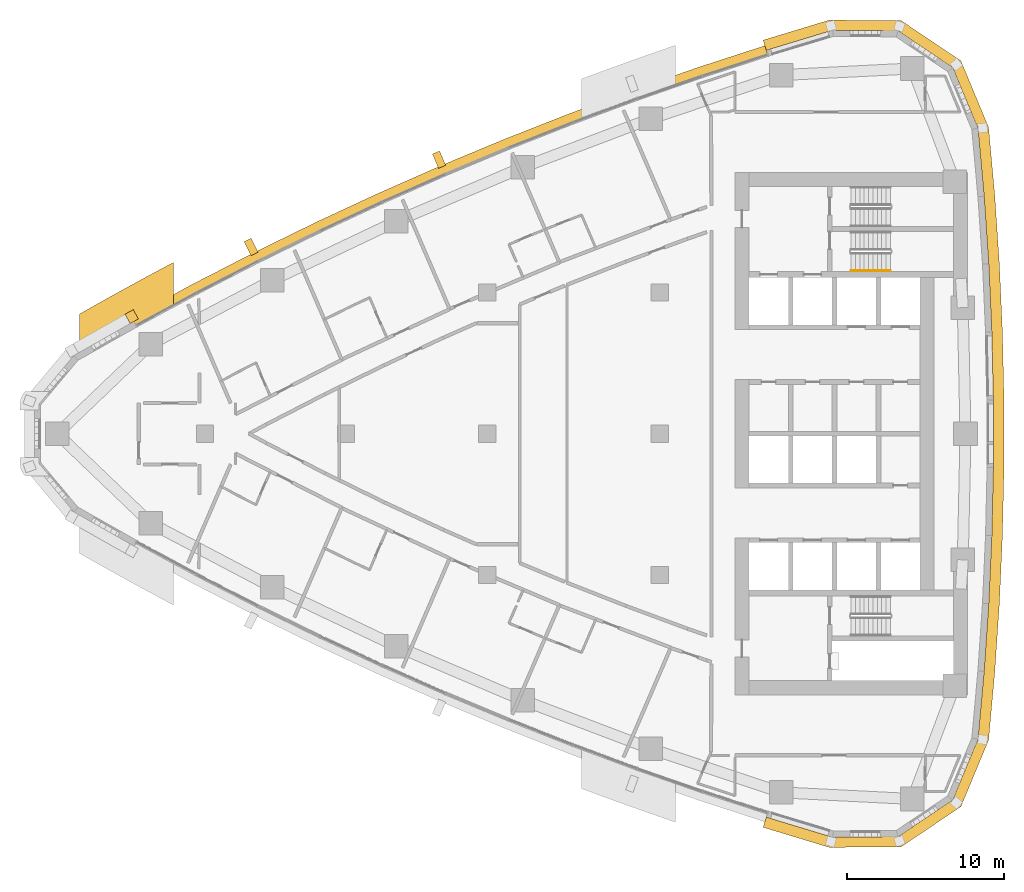
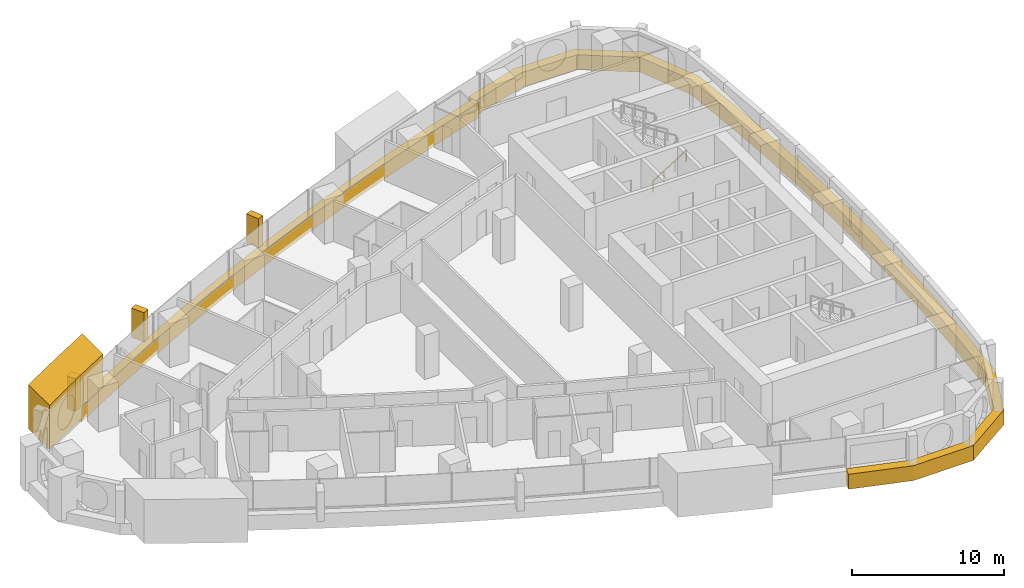
# One storey, part 16 of 17: 6 coverings, 1 railing.
"""IFC4 building model written with IfcOpenShell, lengths in metres."""

from ifc_helpers import new_model, si_unit, direction, frame, frame_2d, origin, origin_2d, place, context, subcontext, project, spatial, polyline, rectangle, circle, outline, extrude, material, layer, layer_set, type_object, element, save


model = new_model("IFC4")

# Units and contexts
model_context = context("Model", 3, precision=1e-05, world=origin(), true_north=direction((0.0, 1.0)))
body_context = subcontext(model_context, "Body", "Model", "MODEL_VIEW")
ifc_project = project(units=[si_unit("LENGTHUNIT", "METRE"), si_unit("AREAUNIT", "SQUARE_METRE"), si_unit("VOLUMEUNIT", "CUBIC_METRE"), si_unit("PLANEANGLEUNIT", "RADIAN"), si_unit("MASSUNIT", "GRAM", prefix="KILO")], contexts=[model_context])

# Site, building, storey
site_placement = place(None, origin())
site = spatial("IfcSite", under=ifc_project, at=site_placement, CompositionType="ELEMENT")
building_placement = place(site_placement, origin())
building = spatial("IfcBuilding", under=site, at=building_placement, Name="Ostrand Prow Hotel Tower", CompositionType="ELEMENT")
storey_placement = place(building_placement, frame((0.0, 0.0, 158.60009765625)))
storey = spatial("IfcBuildingStorey", under=building, at=storey_placement, Name="L39", CompositionType="ELEMENT", Elevation=158.60009765625)

# Coverings
ifc_material_1 = material(Name="Bronze anodised aluminium cladding", Category="aluminium")
ifc_layer_1 = layer(ifc_material_1, 0.60009765625)
ifc_layer_set_1 = layer_set([ifc_layer_1], Name="Bronze anodised aluminium cladding")
covering_type_1 = type_object("IfcCoveringType", Name="Bronze spandrel band 1200x600", PredefinedType="CLADDING", material=ifc_layer_set_1)
covering_1_placement = place(storey_placement, frame((0.0, 0.0, -0.300048828125)))
element("IfcCovering", 1, at=covering_1_placement, inside=storey, type_object=covering_type_1, Name="Spandrel band N1", PredefinedType="CLADDING", context=body_context, shape_type="SweptSolid", body=[
    extrude(outline(polyline([(51.705322265625, 24.74560546875), (47.522705078125, 23.385009765625), (43.368408203125, 21.9404296875), (39.243896484375, 20.41259765625), (35.15087890625, 18.80224609375), (31.091064453125, 17.110107421875), (27.06591796875, 15.336669921875), (23.077392578125, 13.482666015625), (19.126953125, 11.548828125), (15.21630859375, 9.535888671875), (11.3466796875, 7.445068359375), (11.63720703125, 6.920166015625), (15.49609375, 9.00537109375), (19.396240234375, 11.0126953125), (23.335693359375, 12.941162109375), (27.3134765625, 14.7900390625), (31.327392578125, 16.55859375), (35.376220703125, 18.24609375), (39.457763671875, 19.85205078125), (43.571044921875, 21.375732421875), (47.714111328125, 22.81640625), (51.88525390625, 24.17333984375), (51.705322265625, 24.74560546875)])), origin(), (0.0, 0.0, 1.0), 1.199951171875),
])
covering_2_placement = place(storey_placement, frame((0.0, 0.0, -0.300048828125)))
element("IfcCovering", 2, at=covering_2_placement, inside=storey, type_object=covering_type_1, Name="Spandrel band back 1", PredefinedType="CLADDING", context=body_context, shape_type="SweptSolid", body=[
    extrude(outline(polyline([(51.594970703125, -25.0966796875), (55.811279296875, -26.375244140625), (60.402099609375, -26.339111328125), (64.211181640625, -23.77587890625), (65.973388671875, -19.53662109375), (66.3662109375, -15.205322265625), (66.66064453125, -10.86669921875), (66.857177734375, -6.522216796875), (66.95556640625, -2.17431640625), (66.95556640625, 2.17431640625), (66.857177734375, 6.522216796875), (66.66064453125, 10.86669921875), (66.3662109375, 15.205322265625), (65.973388671875, 19.53662109375), (64.211181640625, 23.77587890625), (60.402099609375, 26.339111328125), (55.811279296875, 26.375244140625), (51.594970703125, 25.0966796875), (51.798828125, 24.447998046875), (56.001953125, 25.722412109375), (60.201171875, 25.689697265625), (63.68505859375, 23.34521484375), (65.296875, 19.467529296875), (65.688232421875, 15.151611328125), (65.981689453125, 10.828125), (66.177490234375, 6.4990234375), (66.275634765625, 2.166748046875), (66.275634765625, -2.166748046875), (66.177490234375, -6.4990234375), (65.981689453125, -10.828125), (65.688232421875, -15.151611328125), (65.296875, -19.467529296875), (63.68505859375, -23.34521484375), (60.201171875, -25.689697265625), (56.001953125, -25.722412109375), (51.798828125, -24.447998046875), (51.594970703125, -25.0966796875)])), origin(), (0.0, 0.0, 1.0), 1.199951171875),
])
ifc_material_2 = material(Name="Limestone cladding", Category="masonry")
ifc_layer_2 = layer(ifc_material_2, 5.0)
ifc_layer_set_2 = layer_set([ifc_layer_2], Name="Limestone cladding")
covering_type_2 = type_object("IfcCoveringType", Name="Portal jamb pilaster limestone", PredefinedType="CLADDING", material=ifc_layer_set_2)
covering_3_placement = place(storey_placement, origin())
element("IfcCovering", 3, at=covering_3_placement, inside=storey, type_object=covering_type_2, Name="Portal jamb NA L39", PredefinedType="CLADDING", context=body_context, shape_type="SweptSolid", body=[
    extrude(outline(polyline([(8.0, 4.861572265625), (9.0, 5.436767578125), (10.0, 6.0048828125), (11.0, 6.566162109375), (12.0, 7.12060546875), (13.0, 7.66796875), (14.0, 8.208740234375), (14.0, 10.92919921875), (13.0, 10.39599609375), (12.0, 9.856201171875), (11.0, 9.3095703125), (10.0, 8.75634765625), (9.0, 8.1962890625), (8.0, 7.62939453125), (8.0, 4.861572265625)])), origin(), (0.0, 0.0, 1.0), 3.5498046875),
])
ifc_material_3 = material(Name="Limestone cladding", Category="masonry")
ifc_layer_3 = layer(ifc_material_3, 0.5)
ifc_layer_set_3 = layer_set([ifc_layer_3], Name="Limestone cladding")
covering_type_3 = type_object("IfcCoveringType", Name="Precast stone fin 500x900", PredefinedType="CLADDING", material=ifc_layer_set_3)
covering_4_placement = place(storey_placement, frame((31.13037109375, 17.018310546875, 0.89990234375), z_axis=(0.0, 0.0, 1.0), x_axis=(-0.394096106618, 0.919069235013, 0.0)))
element("IfcCovering", 4, at=covering_4_placement, inside=storey, type_object=covering_type_3, Name="Stone fin N 6", PredefinedType="CLADDING", context=body_context, shape_type="SweptSolid", body=[
    extrude(rectangle(XDim=0.999755859375, YDim=0.5, at=frame_2d((0.5, 0.0))), origin(), (0.0, 0.0, 1.0), 2.35009765625),
])
covering_5_placement = place(storey_placement, frame((19.171875, 11.45947265625, 0.89990234375), z_axis=(0.0, 0.0, 1.0), x_axis=(-0.448677667264, 0.893693656069, 0.0)))
element("IfcCovering", 5, at=covering_5_placement, inside=storey, type_object=covering_type_3, Name="Stone fin N 9", PredefinedType="CLADDING", context=body_context, shape_type="SweptSolid", body=[
    extrude(rectangle(XDim=1.0, YDim=0.5, at=frame_2d((0.5, 0.0))), origin(), (0.0, 0.0, 1.0), 2.35009765625),
])
ifc_material_4 = material(Name="Limestone cladding", Category="masonry")
ifc_layer_4 = layer(ifc_material_4, 0.60009765625)
ifc_layer_set_4 = layer_set([ifc_layer_4], Name="Limestone cladding")
covering_type_4 = type_object("IfcCoveringType", Name="Precast stone prow rib 600x600", PredefinedType="CLADDING", material=ifc_layer_set_4)
covering_6_placement = place(storey_placement, frame((11.497802734375, 7.171875, 0.599853515625), z_axis=(0.0, 0.0, 1.0), x_axis=(-0.484301161624, 0.874901357211, 0.0)))
element("IfcCovering", 6, at=covering_6_placement, inside=storey, type_object=covering_type_4, Name="Stone prow rib 1", PredefinedType="CLADDING", context=body_context, shape_type="SweptSolid", body=[
    extrude(rectangle(XDim=0.679931640625, YDim=0.60009765625, at=frame_2d((0.33984375, 0.0))), origin(), (0.0, 0.0, 1.0), 2.650146484375),
])

# Railing
ifc_material_5 = material(Name="Stainless steel", Category="steel")
railing_type = type_object("IfcRailingType", Name="Stair handrail 900", PredefinedType="HANDRAIL", material=ifc_material_5)
railing_placement = place(storey_placement, frame((57.199951171875, 10.39990234375, 0.177490234375)))
element("IfcRailing", 7, at=railing_placement, inside=storey, type_object=railing_type, Name="L39 ST1C stair handrail 1", PredefinedType="HANDRAIL", context=body_context, shape_type="SweptSolid", body=[
    extrude(circle(Radius=0.02392578125, at=origin_2d()), frame((0.0, 0.0, 0.8759765625), z_axis=(0.84460694969, 0.0, 0.535386869969), x_axis=(0.0, 1.0, 0.0)), (0.0, 0.0, 1.0), 2.983642578125),
    extrude(circle(Radius=0.02099609375, at=origin_2d()), origin(), (0.0, 0.0, 1.0), 0.851806640625),
    extrude(circle(Radius=0.02099609375, at=origin_2d()), frame((0.840087890625, 0.0, 0.532470703125)), (0.0, 0.0, 1.0), 0.851806640625),
    extrude(circle(Radius=0.02099609375, at=origin_2d()), frame((1.679931640625, 0.0, 1.06494140625)), (0.0, 0.0, 1.0), 0.851806640625),
    extrude(circle(Radius=0.02099609375, at=origin_2d()), frame((2.52001953125, 0.0, 1.597412109375)), (0.0, 0.0, 1.0), 0.851806640625),
])

save(model, "model.ifc")
